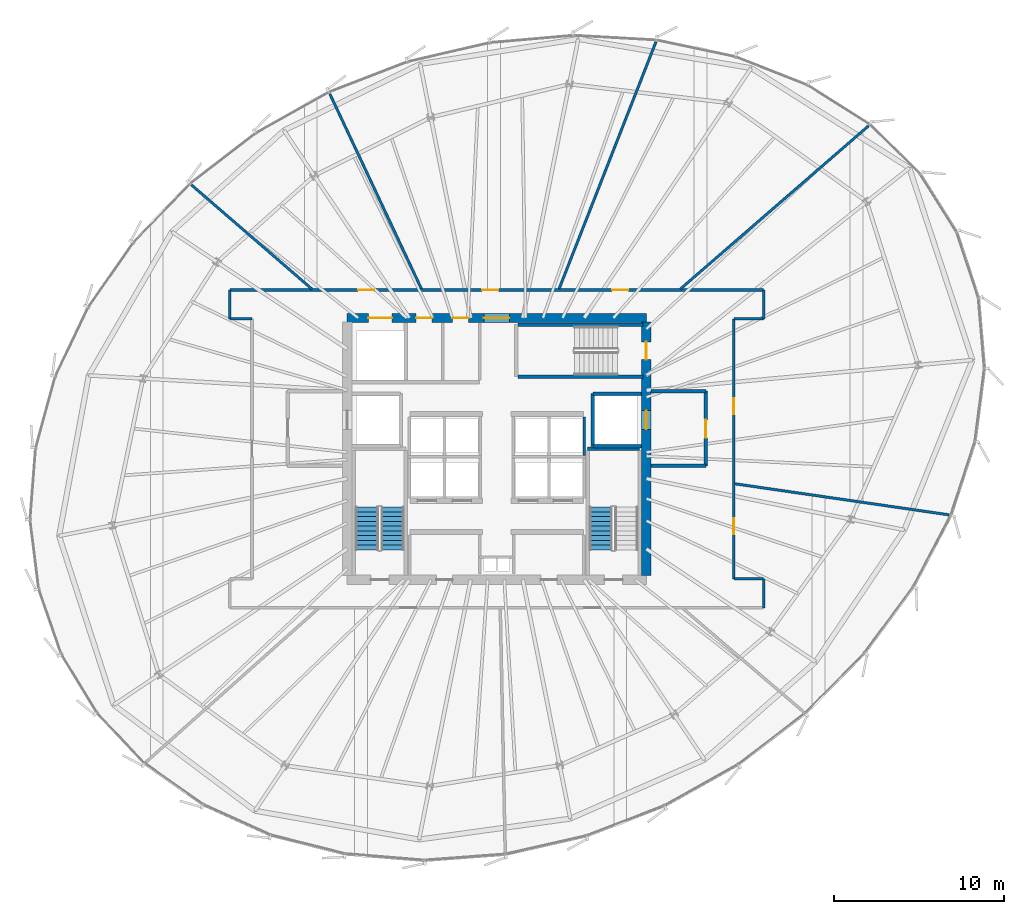
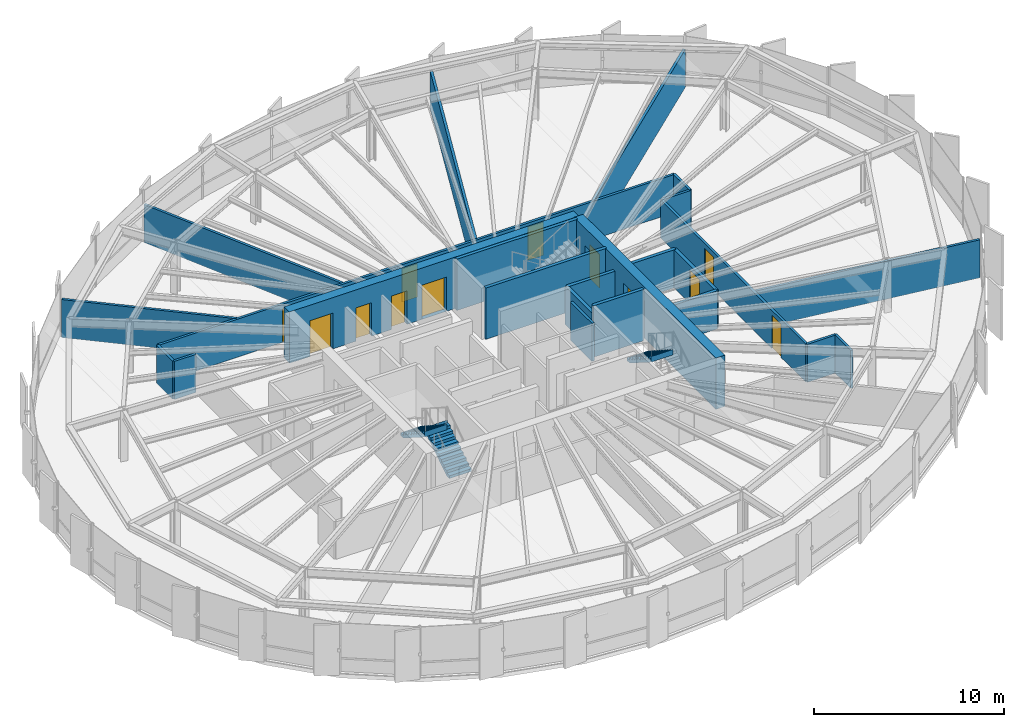
# One storey, part 30 of 35: 25 walls, 12 doors, 3 stair flights, 12 openings, 2 elements without a shape of their own.
"""IFC4 building model written with IfcOpenShell, lengths in metres."""

from ifc_helpers import new_model, si_unit, direction, frame, frame_2d, origin, place, context, subcontext, project, spatial, polyline, rectangle, outline, extrude, source, transform, mapped, material, layer, layer_set, type_object, element, fill, aggregate, save


model = new_model("IFC4")

# Units and contexts
model_context = context("Model", 3, precision=1e-05, world=origin(), true_north=direction((0.0, 1.0)))
body_context = subcontext(model_context, "Body", "Model", "MODEL_VIEW")
ifc_project = project(units=[si_unit("LENGTHUNIT", "METRE"), si_unit("AREAUNIT", "SQUARE_METRE"), si_unit("VOLUMEUNIT", "CUBIC_METRE"), si_unit("PLANEANGLEUNIT", "RADIAN"), si_unit("MASSUNIT", "GRAM", prefix="KILO"), si_unit("THERMODYNAMICTEMPERATUREUNIT", "KELVIN")], contexts=[model_context])

# Site, building, storey
site_placement = place(None, origin())
site = spatial("IfcSite", under=ifc_project, at=site_placement, CompositionType="ELEMENT")
building_placement = place(site_placement, origin())
building = spatial("IfcBuilding", under=site, at=building_placement, Name="Kethvar Cultural Tower", CompositionType="ELEMENT")
storey_placement = place(building_placement, frame((0.0, 0.0, 135.89990234375)))
storey = spatial("IfcBuildingStorey", under=building, at=storey_placement, Name="L34", CompositionType="ELEMENT", Elevation=135.89990234375)

# Wall, openings, doors
ifc_material_1 = material(Name="Concrete C60/75", Category="concrete")
ifc_layer_1 = layer(ifc_material_1, 0.550048828125, Name="Concrete C60/75", Category="concrete")
ifc_layer_set_1 = layer_set([ifc_layer_1], Name="Concrete C60/75 (550 mm)")
wall_type_1 = type_object("IfcWallType", Name="WL-CORE-550", PredefinedType="SHEAR", material=ifc_layer_set_1)
wall_1_placement = place(storey_placement, frame((55.60009765625, 35.5, 0.0), z_axis=(0.0, 0.0, 1.0), x_axis=(-1.0, 0.0, 0.0)))
wall_1 = element("IfcWall", 1, at=wall_1_placement, inside=storey, type_object=wall_type_1, Name="L34 Core Shear Wall N", PredefinedType="SHEAR", context=body_context, shape_type="SweptSolid", body=[
    extrude(rectangle(XDim=17.60009765625, YDim=0.550048828125, at=frame_2d((8.800048828125, 0.0))), origin(), (0.0, 0.0, 1.0), 3.300048828125),
])
opening_1_placement = place(wall_1_placement, frame((8.050048828125, 0.0, 0.0)))
opening_1 = element("IfcOpeningElement", 2, at=opening_1_placement, cuts=wall_1, Name="Opening D-L34-LN", PredefinedType="OPENING", context=body_context, shape_type="SweptSolid", body=[
    extrude(rectangle(XDim=1.5, YDim=2.199951171875, at=frame_2d((0.75, 1.10009765625))), frame((0.0, 0.284912109375, 0.0), z_axis=(0.0, -1.0, 0.0), x_axis=(1.0, 0.0, 0.0)), (0.0, 0.0, 1.0), 0.570068359375),
])
opening_2_placement = place(wall_1_placement, frame((14.949951171875, 0.0, 0.0)))
opening_2 = element("IfcOpeningElement", 3, at=opening_2_placement, cuts=wall_1, Name="Opening LD-G1", PredefinedType="OPENING", context=body_context, shape_type="SweptSolid", body=[
    extrude(rectangle(XDim=1.39990234375, YDim=2.300048828125, at=frame_2d((0.699951171875, 1.14990234375))), frame((0.0, 0.284912109375, 0.0), z_axis=(0.0, -1.0, 0.0), x_axis=(1.0, 0.0, 0.0)), (0.0, 0.0, 1.0), 0.570068359375),
])
opening_3_placement = place(wall_1_placement, frame((12.60009765625, 0.0, 0.0)))
opening_3 = element("IfcOpeningElement", 4, at=opening_3_placement, cuts=wall_1, Name="Opening D-L34-W1", PredefinedType="OPENING", context=body_context, shape_type="SweptSolid", body=[
    extrude(rectangle(XDim=0.949951171875, YDim=2.14990234375, at=frame_2d((0.47509765625, 1.074951171875))), frame((0.0, 0.284912109375, 0.0), z_axis=(0.0, -1.0, 0.0), x_axis=(1.0, 0.0, 0.0)), (0.0, 0.0, 1.0), 0.570068359375),
])
opening_4_placement = place(wall_1_placement, frame((10.449951171875, 0.0, 0.0)))
opening_4 = element("IfcOpeningElement", 5, at=opening_4_placement, cuts=wall_1, Name="Opening D-L34-W2", PredefinedType="OPENING", context=body_context, shape_type="SweptSolid", body=[
    extrude(rectangle(XDim=0.949951171875, YDim=2.14990234375, at=frame_2d((0.47509765625, 1.074951171875))), frame((0.0, 0.284912109375, 0.0), z_axis=(0.0, -1.0, 0.0), x_axis=(1.0, 0.0, 0.0)), (0.0, 0.0, 1.0), 0.570068359375),
])
ifc_material_2 = material(Name="Architectural Oak Timber", Category="wood")
door_type_1 = type_object("IfcDoorType", Name="DR-DBL-FD60-1500", OperationType="DOUBLE_DOOR_SINGLE_SWING", PredefinedType="DOOR", material=ifc_material_2)
shared_shape_1 = source(origin(), body_context, "Body", "SweptSolid", [
    extrude(rectangle(XDim=1.5, YDim=2.199951171875, at=frame_2d((0.75, 1.10009765625))), frame((0.0, 0.02490234375, 0.0), z_axis=(0.0, -1.0, 0.0), x_axis=(1.0, 0.0, 0.0)), (0.0, 0.0, 1.0), 0.050048828125),
])
door_1_placement = place(opening_1_placement, origin())
door_1 = element("IfcDoor", 6, at=door_1_placement, inside=storey, type_object=door_type_1, Name="L34 Lift Lobby Concourse Door", OperationType="DOUBLE_DOOR_SINGLE_SWING", OverallHeight=2.199951171875, OverallWidth=1.5, PredefinedType="DOOR", context=body_context, shape_type="MappedRepresentation", body=[
    mapped(shared_shape_1, transform((0.0, 0.0, 0.0), scale=1.0)),
])
fill(opening_1, door_1)
ifc_material_3 = material(Name="Steel S355J2", Category="steel")
door_type_2 = type_object("IfcDoorType", Name="DR-LIFT-SLIDE-1400", OperationType="NOTDEFINED", PredefinedType="DOOR", material=ifc_material_3)
shared_shape_2 = source(origin(), body_context, "Body", "SweptSolid", [
    extrude(rectangle(XDim=1.39990234375, YDim=2.300048828125, at=frame_2d((0.699951171875, 1.14990234375))), frame((0.0, 0.02490234375, 0.0), z_axis=(0.0, -1.0, 0.0), x_axis=(1.0, 0.0, 0.0)), (0.0, 0.0, 1.0), 0.050048828125),
])
door_2_placement = place(opening_2_placement, origin())
door_2 = element("IfcDoor", 7, at=door_2_placement, inside=storey, type_object=door_type_2, Name="L34 Goods Lift Landing Door", OperationType="SLIDING_TO_RIGHT", OverallHeight=2.300048828125, OverallWidth=1.39990234375, PredefinedType="DOOR", context=body_context, shape_type="MappedRepresentation", body=[
    mapped(shared_shape_2, transform((0.0, 0.0, 0.0), scale=1.0)),
])
fill(opening_2, door_2)
door_type_3 = type_object("IfcDoorType", Name="DR-FD30-950", OperationType="NOTDEFINED", PredefinedType="DOOR", material=ifc_material_2)
shared_shape_3 = source(origin(), body_context, "Body", "SweptSolid", [
    extrude(rectangle(XDim=0.949951171875, YDim=2.14990234375, at=frame_2d((0.47509765625, 1.074951171875))), frame((0.0, 0.02490234375, 0.0), z_axis=(0.0, -1.0, 0.0), x_axis=(1.0, 0.0, 0.0)), (0.0, 0.0, 1.0), 0.050048828125),
])
door_3_placement = place(opening_3_placement, origin())
door_3 = element("IfcDoor", 8, at=door_3_placement, inside=storey, type_object=door_type_3, Name="L34 Accessible Washroom Door", OperationType="SINGLE_SWING_LEFT", OverallHeight=2.14990234375, OverallWidth=0.949951171875, PredefinedType="DOOR", context=body_context, shape_type="MappedRepresentation", body=[
    mapped(shared_shape_3, transform((0.0, 0.0, 0.0), scale=1.0)),
])
fill(opening_3, door_3)
door_4_placement = place(opening_4_placement, origin())
door_4 = element("IfcDoor", 9, at=door_4_placement, inside=storey, type_object=door_type_3, Name="L34 Public Washroom Door", OperationType="SINGLE_SWING_RIGHT", OverallHeight=2.14990234375, OverallWidth=0.949951171875, PredefinedType="DOOR", context=body_context, shape_type="MappedRepresentation", body=[
    mapped(shared_shape_3, transform((0.0, 0.0, 0.0), scale=1.0)),
])
fill(opening_4, door_4)

wall_2_placement = place(storey_placement, frame((55.60009765625, 20.340087890625, 0.0), z_axis=(0.0, 0.0, 1.0), x_axis=(0.0, 1.0, 0.0)))
wall_2 = element("IfcWall", 10, at=wall_2_placement, inside=storey, type_object=wall_type_1, Name="L34 Core Shear Wall E", PredefinedType="SHEAR", context=body_context, shape_type="SweptSolid", body=[
    extrude(rectangle(XDim=14.919921875, YDim=0.550048828125, at=frame_2d((7.4599609375, 0.0))), origin(), (0.0, 0.0, 1.0), 3.300048828125),
])
opening_5_placement = place(wall_2_placement, frame((12.7099609375, 0.0, 0.0)))
opening_5 = element("IfcOpeningElement", 11, at=opening_5_placement, cuts=wall_2, Name="Opening D-L34-S3", PredefinedType="OPENING", context=body_context, shape_type="SweptSolid", body=[
    extrude(rectangle(XDim=1.050048828125, YDim=2.14990234375, at=frame_2d((0.52490234375, 1.074951171875))), frame((0.0, 0.284912109375, 0.0), z_axis=(0.0, -1.0, 0.0), x_axis=(1.0, 0.0, 0.0)), (0.0, 0.0, 1.0), 0.570068359375),
])
opening_6_placement = place(wall_2_placement, frame((8.610107421875, 0.0, 0.0)))
opening_6 = element("IfcOpeningElement", 12, at=opening_6_placement, cuts=wall_2, Name="Opening LD-2", PredefinedType="OPENING", context=body_context, shape_type="SweptSolid", body=[
    extrude(rectangle(XDim=1.10009765625, YDim=2.199951171875, at=frame_2d((0.550048828125, 1.10009765625))), frame((0.0, 0.284912109375, 0.0), z_axis=(0.0, -1.0, 0.0), x_axis=(1.0, 0.0, 0.0)), (0.0, 0.0, 1.0), 0.570068359375),
])
door_type_4 = type_object("IfcDoorType", Name="DR-FD60-1050", OperationType="NOTDEFINED", PredefinedType="DOOR", material=ifc_material_3)
shared_shape_4 = source(origin(), body_context, "Body", "SweptSolid", [
    extrude(rectangle(XDim=1.050048828125, YDim=2.14990234375, at=frame_2d((0.52490234375, 1.074951171875))), frame((0.0, 0.02490234375, 0.0), z_axis=(0.0, -1.0, 0.0), x_axis=(1.0, 0.0, 0.0)), (0.0, 0.0, 1.0), 0.050048828125),
])
door_5_placement = place(opening_5_placement, origin())
door_5 = element("IfcDoor", 13, at=door_5_placement, inside=storey, type_object=door_type_4, Name="L34 Exit Stair 3 Door", OperationType="SINGLE_SWING_LEFT", OverallHeight=2.14990234375, OverallWidth=1.050048828125, PredefinedType="DOOR", context=body_context, shape_type="MappedRepresentation", body=[
    mapped(shared_shape_4, transform((0.0, 0.0, 0.0), scale=1.0)),
])
fill(opening_5, door_5)
door_type_5 = type_object("IfcDoorType", Name="DR-LIFT-SLIDE-1100", OperationType="NOTDEFINED", PredefinedType="DOOR", material=ifc_material_3)
shared_shape_5 = source(origin(), body_context, "Body", "SweptSolid", [
    extrude(rectangle(XDim=1.10009765625, YDim=2.199951171875, at=frame_2d((0.550048828125, 1.10009765625))), frame((0.0, 0.02490234375, 0.0), z_axis=(0.0, -1.0, 0.0), x_axis=(1.0, 0.0, 0.0)), (0.0, 0.0, 1.0), 0.050048828125),
])
door_6_placement = place(opening_6_placement, origin())
door_6 = element("IfcDoor", 14, at=door_6_placement, inside=storey, type_object=door_type_5, Name="L34 Firefighting Lift Landing Door FFL-02", OperationType="SLIDING_TO_RIGHT", OverallHeight=2.199951171875, OverallWidth=1.10009765625, PredefinedType="DOOR", context=body_context, shape_type="MappedRepresentation", body=[
    mapped(shared_shape_5, transform((0.0, 0.0, 0.0), scale=1.0)),
])
fill(opening_6, door_6)

# Walls
ifc_material_4 = material(Name="Gypsum Fireboard Partition")
ifc_layer_2 = layer(ifc_material_4, 0.14990234375, Name="Gypsum Fireboard Partition")
ifc_layer_set_2 = layer_set([ifc_layer_2], Name="Gypsum Fireboard Partition (150 mm)")
wall_type_2 = type_object("IfcWallType", Name="WL-FIRE-150", PredefinedType="PARTITIONING", material=ifc_layer_set_2)
wall_3_placement = place(storey_placement, frame((51.949951171875, 27.409912109375, 0.0), z_axis=(0.0, 0.0, 1.0), x_axis=(0.0, 1.0, 0.0)))
element("IfcWall", 15, at=wall_3_placement, inside=storey, type_object=wall_type_2, Name="L34 High-Rise Lift Shaft Outer Wall E", PredefinedType="PARTITIONING", context=body_context, shape_type="SweptSolid", body=[
    extrude(rectangle(XDim=2.27001953125, YDim=0.14990234375, at=frame_2d((1.135009765625, 0.0))), origin(), (0.0, 0.0, 1.0), 2.445068359375),
])
wall_4_placement = place(storey_placement, frame((62.5, 18.449951171875, 0.0), z_axis=(0.0, 0.0, 1.0), x_axis=(0.0, 1.0, 0.0)))
element("IfcWall", 16, at=wall_4_placement, inside=storey, type_object=wall_type_2, Name="L34 Corridor Rated Wall ES", PredefinedType="PARTITIONING", context=body_context, shape_type="SweptSolid", body=[
    extrude(rectangle(XDim=1.699951171875, YDim=0.14990234375, at=frame_2d((0.85009765625, 0.0))), origin(), (0.0, 0.0, 1.0), 2.445068359375),
])
wall_5_placement = place(storey_placement, frame((62.5, 20.14990234375, 0.0), z_axis=(0.0, 0.0, 1.0), x_axis=(-1.0, 0.0, 0.0)))
element("IfcWall", 17, at=wall_5_placement, inside=storey, type_object=wall_type_2, Name="L34 Corridor Rated Wall EST", PredefinedType="PARTITIONING", context=body_context, shape_type="SweptSolid", body=[
    extrude(rectangle(XDim=1.75, YDim=0.14990234375, at=frame_2d((0.875, 0.0))), origin(), (0.0, 0.0, 1.0), 2.445068359375),
])

# Wall, openings, doors
wall_6_placement = place(storey_placement, frame((60.75, 20.14990234375, 0.0), z_axis=(0.0, 0.0, 1.0), x_axis=(0.0, 1.0, 0.0)))
wall_6 = element("IfcWall", 18, at=wall_6_placement, inside=storey, type_object=wall_type_2, Name="L34 Corridor Rated Wall EM", PredefinedType="PARTITIONING", context=body_context, shape_type="SweptSolid", body=[
    extrude(rectangle(XDim=15.300048828125, YDim=0.14990234375, at=frame_2d((7.64990234375, 0.0))), origin(), (0.0, 0.0, 1.0), 2.445068359375),
])
opening_7_placement = place(wall_6_placement, frame((2.617431640625, 0.0, 0.0)))
opening_7 = element("IfcOpeningElement", 19, at=opening_7_placement, cuts=wall_6, Name="Opening D-L34-03", PredefinedType="OPENING", context=body_context, shape_type="SweptSolid", body=[
    extrude(rectangle(XDim=0.949951171875, YDim=2.14990234375, at=frame_2d((0.47509765625, 1.074951171875))), frame((0.0, 0.0849609375, 0.0), z_axis=(0.0, -1.0, 0.0), x_axis=(1.0, 0.0, 0.0)), (0.0, 0.0, 1.0), 0.169921875),
])
opening_8_placement = place(wall_6_placement, frame((9.686279296875, 0.0, 0.0)))
opening_8 = element("IfcOpeningElement", 20, at=opening_8_placement, cuts=wall_6, Name="Opening D-L34-04", PredefinedType="OPENING", context=body_context, shape_type="SweptSolid", body=[
    extrude(rectangle(XDim=0.949951171875, YDim=2.14990234375, at=frame_2d((0.47509765625, 1.074951171875))), frame((0.0, 0.0849609375, 0.0), z_axis=(0.0, -1.0, 0.0), x_axis=(1.0, 0.0, 0.0)), (0.0, 0.0, 1.0), 0.169921875),
])
door_7_placement = place(opening_7_placement, origin())
door_7 = element("IfcDoor", 21, at=door_7_placement, inside=storey, type_object=door_type_3, Name="L34 Ceramics Craft Workshop 03 Door", OperationType="SINGLE_SWING_LEFT", OverallHeight=2.14990234375, OverallWidth=0.949951171875, PredefinedType="DOOR", context=body_context, shape_type="MappedRepresentation", body=[
    mapped(shared_shape_3, transform((0.0, 0.0, 0.0), scale=1.0)),
])
fill(opening_7, door_7)
door_8_placement = place(opening_8_placement, origin())
door_8 = element("IfcDoor", 22, at=door_8_placement, inside=storey, type_object=door_type_3, Name="L34 Modernist Music Salon 04 Door", OperationType="SINGLE_SWING_RIGHT", OverallHeight=2.14990234375, OverallWidth=0.949951171875, PredefinedType="DOOR", context=body_context, shape_type="MappedRepresentation", body=[
    mapped(shared_shape_3, transform((0.0, 0.0, 0.0), scale=1.0)),
])
fill(opening_8, door_8)

# Walls
wall_7_placement = place(storey_placement, frame((60.75, 35.449951171875, 0.0), z_axis=(0.0, 0.0, 1.0), x_axis=(1.0, 0.0, 0.0)))
element("IfcWall", 23, at=wall_7_placement, inside=storey, type_object=wall_type_2, Name="L34 Corridor Rated Wall ENT", PredefinedType="PARTITIONING", context=body_context, shape_type="SweptSolid", body=[
    extrude(rectangle(XDim=1.75, YDim=0.14990234375, at=frame_2d((0.875, 0.0))), origin(), (0.0, 0.0, 1.0), 2.445068359375),
])
wall_8_placement = place(storey_placement, frame((62.5, 35.449951171875, 0.0), z_axis=(0.0, 0.0, 1.0), x_axis=(0.0, 1.0, 0.0)))
element("IfcWall", 24, at=wall_8_placement, inside=storey, type_object=wall_type_2, Name="L34 Corridor Rated Wall EN", PredefinedType="PARTITIONING", context=body_context, shape_type="SweptSolid", body=[
    extrude(rectangle(XDim=1.699951171875, YDim=0.14990234375, at=frame_2d((0.85009765625, 0.0))), origin(), (0.0, 0.0, 1.0), 2.445068359375),
])

# Wall, openings, doors
wall_9_placement = place(storey_placement, frame((62.5, 37.14990234375, 0.0), z_axis=(0.0, 0.0, 1.0), x_axis=(-1.0, 0.0, 0.0)))
wall_9 = element("IfcWall", 25, at=wall_9_placement, inside=storey, type_object=wall_type_2, Name="L34 Corridor Rated Wall N", PredefinedType="PARTITIONING", context=body_context, shape_type="SweptSolid", body=[
    extrude(rectangle(XDim=31.39990234375, YDim=0.14990234375, at=frame_2d((15.699951171875, 0.0))), origin(), (0.0, 0.0, 1.0), 2.445068359375),
])
opening_9_placement = place(wall_9_placement, frame((7.960693359375, 0.0, 0.0)))
opening_9 = element("IfcOpeningElement", 26, at=opening_9_placement, cuts=wall_9, Name="Opening D-L34-05", PredefinedType="OPENING", context=body_context, shape_type="SweptSolid", body=[
    extrude(rectangle(XDim=0.949951171875, YDim=2.14990234375, at=frame_2d((0.47509765625, 1.074951171875))), frame((0.0, 0.0849609375, 0.0), z_axis=(0.0, -1.0, 0.0), x_axis=(1.0, 0.0, 0.0)), (0.0, 0.0, 1.0), 0.169921875),
])
opening_10_placement = place(wall_9_placement, frame((15.60791015625, 0.0, 0.0)))
opening_10 = element("IfcOpeningElement", 27, at=opening_10_placement, cuts=wall_9, Name="Opening D-L34-06", PredefinedType="OPENING", context=body_context, shape_type="SweptSolid", body=[
    extrude(rectangle(XDim=0.949951171875, YDim=2.14990234375, at=frame_2d((0.47509765625, 1.074951171875))), frame((0.0, 0.0849609375, 0.0), z_axis=(0.0, -1.0, 0.0), x_axis=(1.0, 0.0, 0.0)), (0.0, 0.0, 1.0), 0.169921875),
])
opening_11_placement = place(wall_9_placement, frame((22.90380859375, 0.0, 0.0)))
opening_11 = element("IfcOpeningElement", 28, at=opening_11_placement, cuts=wall_9, Name="Opening D-L34-07", PredefinedType="OPENING", context=body_context, shape_type="SweptSolid", body=[
    extrude(rectangle(XDim=0.949951171875, YDim=2.14990234375, at=frame_2d((0.47509765625, 1.074951171875))), frame((0.0, 0.0849609375, 0.0), z_axis=(0.0, -1.0, 0.0), x_axis=(1.0, 0.0, 0.0)), (0.0, 0.0, 1.0), 0.169921875),
])
door_9_placement = place(opening_9_placement, origin())
door_9 = element("IfcDoor", 29, at=door_9_placement, inside=storey, type_object=door_type_3, Name="L34 Academic Study Lounge 05 Door", OperationType="SINGLE_SWING_LEFT", OverallHeight=2.14990234375, OverallWidth=0.949951171875, PredefinedType="DOOR", context=body_context, shape_type="MappedRepresentation", body=[
    mapped(shared_shape_3, transform((0.0, 0.0, 0.0), scale=1.0)),
])
fill(opening_9, door_9)
door_10_placement = place(opening_10_placement, origin())
door_10 = element("IfcDoor", 30, at=door_10_placement, inside=storey, type_object=door_type_3, Name="L34 Collection Archive Storage 06 Door", OperationType="SINGLE_SWING_RIGHT", OverallHeight=2.14990234375, OverallWidth=0.949951171875, PredefinedType="DOOR", context=body_context, shape_type="MappedRepresentation", body=[
    mapped(shared_shape_3, transform((0.0, 0.0, 0.0), scale=1.0)),
])
fill(opening_10, door_10)
door_11_placement = place(opening_11_placement, origin())
door_11 = element("IfcDoor", 31, at=door_11_placement, inside=storey, type_object=door_type_3, Name="L34 Laboratory Tea Pantry 07 Door", OperationType="SINGLE_SWING_LEFT", OverallHeight=2.14990234375, OverallWidth=0.949951171875, PredefinedType="DOOR", context=body_context, shape_type="MappedRepresentation", body=[
    mapped(shared_shape_3, transform((0.0, 0.0, 0.0), scale=1.0)),
])
fill(opening_11, door_11)

# Walls
wall_10_placement = place(storey_placement, frame((31.10009765625, 37.14990234375, 0.0), z_axis=(0.0, 0.0, 1.0), x_axis=(0.0, -1.0, 0.0)))
element("IfcWall", 32, at=wall_10_placement, inside=storey, type_object=wall_type_2, Name="L34 Corridor Rated Wall WN", PredefinedType="PARTITIONING", context=body_context, shape_type="SweptSolid", body=[
    extrude(rectangle(XDim=1.699951171875, YDim=0.14990234375, at=frame_2d((0.85009765625, 0.0))), origin(), (0.0, 0.0, 1.0), 2.445068359375),
])
wall_11_placement = place(storey_placement, frame((31.10009765625, 35.449951171875, 0.0), z_axis=(0.0, 0.0, 1.0), x_axis=(1.0, 0.0, 0.0)))
element("IfcWall", 33, at=wall_11_placement, inside=storey, type_object=wall_type_2, Name="L34 Corridor Rated Wall WNT", PredefinedType="PARTITIONING", context=body_context, shape_type="SweptSolid", body=[
    extrude(rectangle(XDim=1.2998046875, YDim=0.14990234375, at=frame_2d((0.64990234375, 0.0))), origin(), (0.0, 0.0, 1.0), 2.445068359375),
])
ifc_material_5 = material(Name="Concrete C40/50", Category="concrete")
ifc_layer_3 = layer(ifc_material_5, 0.199951171875, Name="Concrete C40/50", Category="concrete")
ifc_layer_set_3 = layer_set([ifc_layer_3], Name="Concrete C40/50 (200 mm)")
wall_type_3 = type_object("IfcWallType", Name="WL-FIRE-200", PredefinedType="PARTITIONING", material=ifc_layer_set_3)
wall_12_placement = place(storey_placement, frame((52.449951171875, 27.949951171875, 0.0), z_axis=(0.0, 0.0, 1.0), x_axis=(0.0, 1.0, 0.0)))
element("IfcWall", 34, at=wall_12_placement, inside=storey, type_object=wall_type_3, Name="L34 FFL-02 Shaft Inner Wall", PredefinedType="PARTITIONING", context=body_context, shape_type="SweptSolid", body=[
    extrude(rectangle(XDim=3.10009765625, YDim=0.199951171875, at=frame_2d((1.550048828125, 0.0))), origin(), (0.0, 0.0, 1.0), 2.445068359375),
])
for number, where, z_axis, x_axis, name in (
    (35, (52.449951171875, 27.949951171875, 0.0), (0.0, 0.0, 1.0), (1.0, 0.0, 0.0), "L34 FFL-02 Shaft South Wall"),
    (36, (52.449951171875, 31.050048828125, 0.0), (0.0, 0.0, 1.0), (1.0, 0.0, 0.0), "L34 FFL-02 Shaft North Wall"),
):
    element("IfcWall", number, at=place(storey_placement, frame(where, z_axis=z_axis, x_axis=x_axis)), inside=storey, type_object=wall_type_3, Name=name, PredefinedType="PARTITIONING", context=body_context, shape_type="SweptSolid", body=[
        extrude(rectangle(XDim=2.864990234375, YDim=0.199951171875, at=frame_2d((1.4326171875, 0.0))), origin(), (0.0, 0.0, 1.0), 2.445068359375),
    ])

# Wall, opening, door
wall_13_placement = place(storey_placement, frame((59.10009765625, 26.800048828125, 0.0), z_axis=(0.0, 0.0, 1.0), x_axis=(0.0, 1.0, 0.0)))
wall_13 = element("IfcWall", 37, at=wall_13_placement, inside=storey, type_object=wall_type_3, Name="L34 Firefighting Lobby 2 Wall", PredefinedType="PARTITIONING", context=body_context, shape_type="SweptSolid", body=[
    extrude(rectangle(XDim=4.39990234375, YDim=0.199951171875, at=frame_2d((2.199951171875, 0.0))), origin(), (0.0, 0.0, 1.0), 2.445068359375),
])
opening_12_placement = place(wall_13_placement, frame((1.64990234375, 0.0, 0.0)))
opening_12 = element("IfcOpeningElement", 38, at=opening_12_placement, cuts=wall_13, Name="Opening D-L34-F2", PredefinedType="OPENING", context=body_context, shape_type="SweptSolid", body=[
    extrude(rectangle(XDim=1.050048828125, YDim=2.14990234375, at=frame_2d((0.52490234375, 1.074951171875))), frame((0.0, 0.10986328125, 0.0), z_axis=(0.0, -1.0, 0.0), x_axis=(1.0, 0.0, 0.0)), (0.0, 0.0, 1.0), 0.219970703125),
])
door_12_placement = place(opening_12_placement, origin())
door_12 = element("IfcDoor", 39, at=door_12_placement, inside=storey, type_object=door_type_4, Name="L34 Firefighting Lobby 2 Fire Door", OperationType="SINGLE_SWING_LEFT", OverallHeight=2.14990234375, OverallWidth=1.050048828125, PredefinedType="DOOR", context=body_context, shape_type="MappedRepresentation", body=[
    mapped(shared_shape_4, transform((0.0, 0.0, 0.0), scale=1.0)),
])
fill(opening_12, door_12)

# Walls
for number, where, z_axis, x_axis, name in (
    (40, (55.885009765625, 26.800048828125, 0.0), (0.0, 0.0, 1.0), (1.0, 0.0, 0.0), "L34 FF Lobby 2 South Wall"),
    (41, (55.885009765625, 31.199951171875, 0.0), (0.0, 0.0, 1.0), (1.0, 0.0, 0.0), "L34 FF Lobby 2 North Wall"),
):
    element("IfcWall", number, at=place(storey_placement, frame(where, z_axis=z_axis, x_axis=x_axis)), inside=storey, type_object=wall_type_3, Name=name, PredefinedType="PARTITIONING", context=body_context, shape_type="SweptSolid", body=[
        extrude(rectangle(XDim=3.215087890625, YDim=0.199951171875, at=frame_2d((1.607421875, 0.0))), origin(), (0.0, 0.0, 1.0), 2.445068359375),
    ])
ifc_material_6 = material(Name="Gypsum Acoustic Partition")
ifc_layer_4 = layer(ifc_material_6, 0.14990234375, Name="Gypsum Acoustic Partition")
ifc_layer_set_4 = layer_set([ifc_layer_4], Name="Gypsum Acoustic Partition (150 mm)")
wall_type_4 = type_object("IfcWallType", Name="WL-PART-150", PredefinedType="PARTITIONING", material=ifc_layer_set_4)
wall_14_placement = place(storey_placement, frame((60.8291015625, 25.743896484375, 0.0), z_axis=(0.0, 0.0, 1.0), x_axis=(0.989638035288, -0.143584675757, 0.0)))
element("IfcWall", 42, at=wall_14_placement, inside=storey, type_object=wall_type_4, Name="L34 Radial Partition Wall 04", PredefinedType="PARTITIONING", context=body_context, shape_type="SweptSolid", body=[
    extrude(rectangle(XDim=12.716796875, YDim=0.14990234375, at=frame_2d((6.3583984375, 0.0))), origin(), (0.0, 0.0, 1.0), 2.445068359375),
])
wall_15_placement = place(storey_placement, frame((57.599365234375, 37.202392578125, 0.0), z_axis=(0.0, 0.0, 1.0), x_axis=(0.755590707882, 0.655044030705, 0.0)))
element("IfcWall", 43, at=wall_15_placement, inside=storey, type_object=wall_type_4, Name="L34 Radial Partition Wall 05", PredefinedType="PARTITIONING", context=body_context, shape_type="SweptSolid", body=[
    extrude(rectangle(XDim=14.65869140625, YDim=0.14990234375, at=frame_2d((7.329345703125, 0.0))), origin(), (0.0, 0.0, 1.0), 2.445068359375),
])
wall_16_placement = place(storey_placement, frame((50.471923828125, 37.224609375, 0.0), z_axis=(0.0, 0.0, 1.0), x_axis=(0.365046571016, 0.930989259331, 0.0)))
element("IfcWall", 44, at=wall_16_placement, inside=storey, type_object=wall_type_4, Name="L34 Radial Partition Wall 06", PredefinedType="PARTITIONING", context=body_context, shape_type="SweptSolid", body=[
    extrude(rectangle(XDim=15.600341796875, YDim=0.14990234375, at=frame_2d((7.80029296875, 0.0))), origin(), (0.0, 0.0, 1.0), 2.445068359375),
])
wall_17_placement = place(storey_placement, frame((42.3662109375, 37.222412109375, 0.0), z_axis=(0.0, 0.0, 1.0), x_axis=(-0.425227335241, 0.905086577828, 0.0)))
element("IfcWall", 45, at=wall_17_placement, inside=storey, type_object=wall_type_4, Name="L34 Radial Partition Wall 07", PredefinedType="PARTITIONING", context=body_context, shape_type="SweptSolid", body=[
    extrude(rectangle(XDim=12.673583984375, YDim=0.14990234375, at=frame_2d((6.3369140625, 0.0))), origin(), (0.0, 0.0, 1.0), 2.445068359375),
])
wall_18_placement = place(storey_placement, frame((35.929931640625, 37.202392578125, 0.0), z_axis=(0.0, 0.0, 1.0), x_axis=(-0.756714614839, 0.653745356916, 0.0)))
element("IfcWall", 46, at=wall_18_placement, inside=storey, type_object=wall_type_4, Name="L34 Radial Partition Wall 08", PredefinedType="PARTITIONING", context=body_context, shape_type="SweptSolid", body=[
    extrude(rectangle(XDim=9.3701171875, YDim=0.14990234375, at=frame_2d((4.68505859375, 0.0))), origin(), (0.0, 0.0, 1.0), 2.445068359375),
])
ifc_material_7 = material(Name="Concrete C50/60", Category="concrete")
ifc_layer_5 = layer(ifc_material_7, 0.199951171875, Name="Concrete C50/60", Category="concrete")
ifc_layer_set_5 = layer_set([ifc_layer_5], Name="Concrete C50/60 (200 mm)")
wall_type_5 = type_object("IfcWallType", Name="WL-STSHAFT-200", PredefinedType="SHEAR", material=ifc_layer_set_5)
wall_19_placement = place(storey_placement, frame((52.14990234375, 27.800048828125, 0.0), z_axis=(0.0, 0.0, 1.0), x_axis=(1.0, 0.0, 0.0)))
element("IfcWall", 47, at=wall_19_placement, inside=storey, type_object=wall_type_5, Name="L34 ST-02 Stair Shaft Wall FAR", PredefinedType="SHEAR", context=body_context, shape_type="SweptSolid", body=[
    extrude(rectangle(XDim=3.06005859375, YDim=0.199951171875, at=frame_2d((1.530029296875, 0.0))), origin(), (0.0, 0.0, 1.0), 3.300048828125),
])
for number, where, z_axis, x_axis, name in (
    (48, (48.050048828125, 35.110107421875, 0.0), (0.0, 0.0, 1.0), (1.0, 0.0, 0.0), "L34 ST-03 Stair Shaft Wall LEFT"),
    (49, (55.39990234375, 32.050048828125, 0.0), (0.0, 0.0, 1.0), (-1.0, 0.0, 0.0), "L34 ST-03 Stair Shaft Wall RIGHT"),
):
    element("IfcWall", number, at=place(storey_placement, frame(where, z_axis=z_axis, x_axis=x_axis)), inside=storey, type_object=wall_type_5, Name=name, PredefinedType="SHEAR", context=body_context, shape_type="SweptSolid", body=[
        extrude(rectangle(XDim=7.349853515625, YDim=0.199951171875, at=frame_2d((3.6748046875, 0.0))), origin(), (0.0, 0.0, 1.0), 3.300048828125),
    ])

# Stair, stair flights
stair_type = type_object("IfcStairType", Name="ST-DOGLEG-135", PredefinedType="HALF_TURN_STAIR", material=ifc_material_5)
stair_1_placement = place(storey_placement, origin())
stair_1 = element("IfcStair", 50, at=stair_1_placement, inside=storey, type_object=stair_type, Name="L34 Core Exit Stair 1", PredefinedType="HALF_TURN_STAIR")
stair_flight_type = type_object("IfcStairFlightType", Name="FL-STRAIGHT-135", PredefinedType="STRAIGHT", material=ifc_material_5)
stair_flight_1_placement = place(storey_placement, frame((40.675048828125, 21.85009765625, 0.0), z_axis=(0.0, 0.0, 1.0), x_axis=(0.0, 1.0, 0.0)))
stair_flight_1 = element("IfcStairFlight", 51, at=stair_flight_1_placement, type_object=stair_flight_type, Name="ST-01 flight 1", NumberOfRisers=10, NumberOfTreads=9, PredefinedType="STRAIGHT", RiserHeight=0.1775, TreadLength=0.28, context=body_context, shape_type="SweptSolid", body=[
    extrude(outline(polyline([(-0.0009765625, -0.0009765625), (-0.0009765625, 0.177490234375), (0.280029296875, 0.177490234375), (0.280029296875, 0.35498046875), (0.56005859375, 0.35498046875), (0.56005859375, 0.532470703125), (0.840087890625, 0.532470703125), (0.840087890625, 0.7099609375), (1.1201171875, 0.7099609375), (1.1201171875, 0.887451171875), (1.39990234375, 0.887451171875), (1.39990234375, 1.06494140625), (1.679931640625, 1.06494140625), (1.679931640625, 1.242431640625), (1.9599609375, 1.242431640625), (1.9599609375, 1.419921875), (2.239990234375, 1.419921875), (2.239990234375, 1.597412109375), (2.52001953125, 1.597412109375), (2.52001953125, 1.77490234375), (2.52099609375, 1.77490234375), (2.52099609375, 1.419921875), (0.280029296875, 0.0), (0.0, -0.0009765625), (-0.0009765625, -0.0009765625)])), frame((0.0, 0.675048828125, 0.0), z_axis=(0.0, -1.0, 0.0), x_axis=(1.0, 0.0, 0.0)), (0.0, 0.0, 1.0), 1.35009765625),
])
stair_flight_2_placement = place(storey_placement, frame((39.1650390625, 24.3701171875, 1.775146484375), z_axis=(0.0, 0.0, 1.0), x_axis=(0.0, -1.0, 0.0)))
stair_flight_2 = element("IfcStairFlight", 52, at=stair_flight_2_placement, type_object=stair_flight_type, Name="ST-01 flight 2", NumberOfRisers=10, NumberOfTreads=9, PredefinedType="STRAIGHT", RiserHeight=0.1775, TreadLength=0.28, context=body_context, shape_type="SweptSolid", body=[
    extrude(outline(polyline([(-0.0009765625, -0.0009765625), (-0.0009765625, 0.177490234375), (0.280029296875, 0.177490234375), (0.280029296875, 0.35498046875), (0.56005859375, 0.35498046875), (0.56005859375, 0.532470703125), (0.840087890625, 0.532470703125), (0.840087890625, 0.7099609375), (1.1201171875, 0.7099609375), (1.1201171875, 0.887451171875), (1.39990234375, 0.887451171875), (1.39990234375, 1.06494140625), (1.679931640625, 1.06494140625), (1.679931640625, 1.242431640625), (1.9599609375, 1.242431640625), (1.9599609375, 1.419921875), (2.239990234375, 1.419921875), (2.239990234375, 1.597412109375), (2.52001953125, 1.597412109375), (2.52001953125, 1.77490234375), (2.52099609375, 1.77490234375), (2.52099609375, 1.419921875), (0.280029296875, 0.0), (0.0, -0.0009765625), (-0.0009765625, -0.0009765625)])), frame((0.0, 0.675048828125, 0.0), z_axis=(0.0, -1.0, 0.0), x_axis=(1.0, 0.0, 0.0)), (0.0, 0.0, 1.0), 1.35009765625),
])
aggregate(stair_1, [stair_flight_1, stair_flight_2])

# Stair, stair flight
stair_2_placement = place(storey_placement, origin())
stair_2 = element("IfcStair", 53, at=stair_2_placement, inside=storey, type_object=stair_type, Name="L34 Core Exit Stair 2", PredefinedType="HALF_TURN_STAIR")
stair_flight_3_placement = place(storey_placement, frame((52.925048828125, 24.3701171875, 1.775146484375), z_axis=(0.0, 0.0, 1.0), x_axis=(0.0, -1.0, 0.0)))
stair_flight_3 = element("IfcStairFlight", 54, at=stair_flight_3_placement, type_object=stair_flight_type, Name="ST-02 flight 2", NumberOfRisers=10, NumberOfTreads=9, PredefinedType="STRAIGHT", RiserHeight=0.1775, TreadLength=0.28, context=body_context, shape_type="SweptSolid", body=[
    extrude(outline(polyline([(-0.0009765625, -0.0009765625), (-0.0009765625, 0.177490234375), (0.280029296875, 0.177490234375), (0.280029296875, 0.35498046875), (0.56005859375, 0.35498046875), (0.56005859375, 0.532470703125), (0.840087890625, 0.532470703125), (0.840087890625, 0.7099609375), (1.1201171875, 0.7099609375), (1.1201171875, 0.887451171875), (1.39990234375, 0.887451171875), (1.39990234375, 1.06494140625), (1.679931640625, 1.06494140625), (1.679931640625, 1.242431640625), (1.9599609375, 1.242431640625), (1.9599609375, 1.419921875), (2.239990234375, 1.419921875), (2.239990234375, 1.597412109375), (2.52001953125, 1.597412109375), (2.52001953125, 1.77490234375), (2.52099609375, 1.77490234375), (2.52099609375, 1.419921875), (0.280029296875, 0.0), (0.0, -0.0009765625), (-0.0009765625, -0.0009765625)])), frame((0.0, 0.675048828125, 0.0), z_axis=(0.0, -1.0, 0.0), x_axis=(1.0, 0.0, 0.0)), (0.0, 0.0, 1.0), 1.35009765625),
])
aggregate(stair_2, [stair_flight_3])

save(model, "model.ifc")
